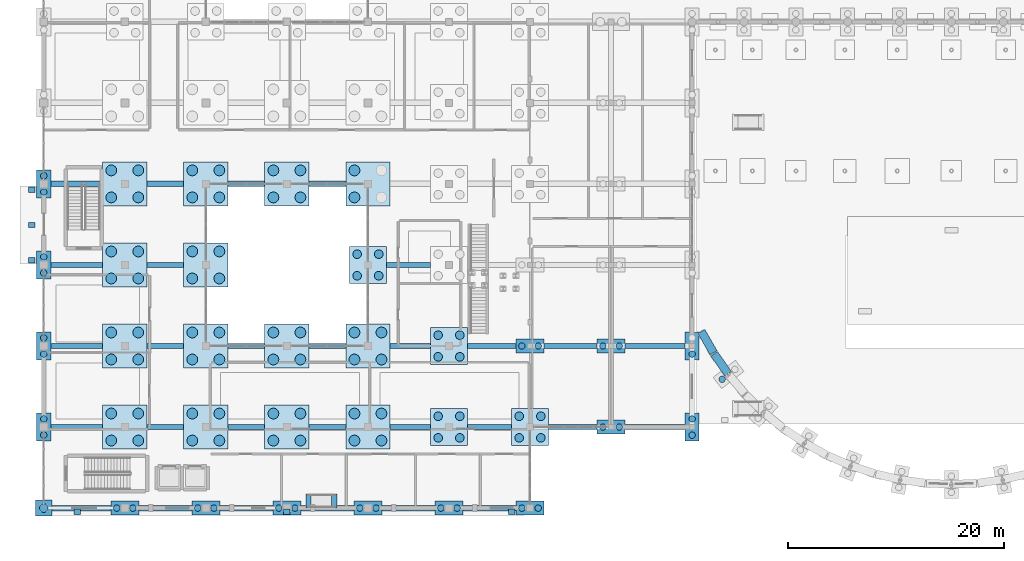
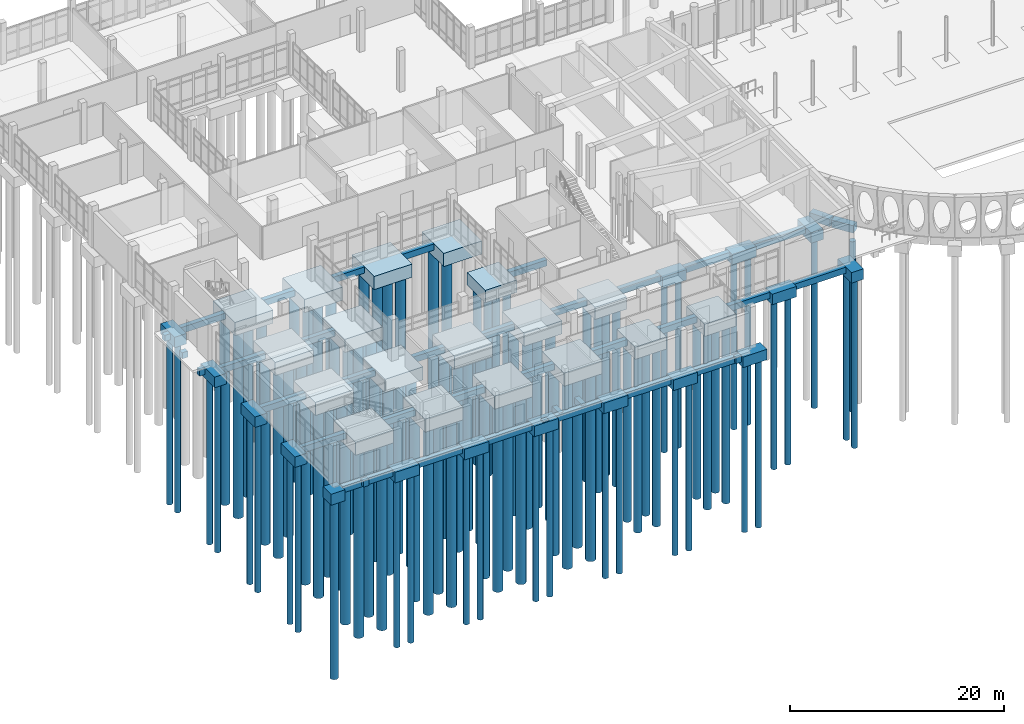
# One storey, part 1 of 173: 101 piles, 73 footings.
"""IFC4 building model written with IfcOpenShell, lengths in metres."""

from ifc_helpers import new_model, si_unit, direction, frame, origin, origin_2d, place, context, subcontext, project, spatial, rectangle, circle, extrude, material, material_profile, profile_set, type_object, element, save


model = new_model("IFC4")

# Units and contexts
model_context = context("Model", 3, precision=1e-05, world=origin(), true_north=direction((0.0, 1.0)))
body_context = subcontext(model_context, "Body", "Model", "MODEL_VIEW")
ifc_project = project(units=[si_unit("LENGTHUNIT", "METRE"), si_unit("AREAUNIT", "SQUARE_METRE"), si_unit("VOLUMEUNIT", "CUBIC_METRE"), si_unit("PLANEANGLEUNIT", "RADIAN"), si_unit("MASSUNIT", "GRAM", prefix="KILO")], contexts=[model_context])

# Site, building, storey
site_placement = place(None, origin())
site = spatial("IfcSite", under=ifc_project, at=site_placement, CompositionType="ELEMENT")
building_placement = place(site_placement, origin())
building = spatial("IfcBuilding", under=site, at=building_placement, Name="Mawjan Specialist Oncology Clinic", CompositionType="ELEMENT")
storey_placement = place(building_placement, origin())
storey = spatial("IfcBuildingStorey", under=building, at=storey_placement, Name="L00", CompositionType="ELEMENT", Elevation=0.0)

# Footings
ifc_material_1 = material(Name="Concrete C40/50", Category="concrete")
footing_type_1 = type_object("IfcFootingType", Name="PC-1C", PredefinedType="PILE_CAP", material=ifc_material_1)
footing_1_placement = place(storey_placement, frame((0.0, 0.800048828125, -1.669921875), z_axis=(0.0, 0.0, 1.0), x_axis=(1.0, 0.0, 0.0)))
element("IfcFooting", 1, at=footing_1_placement, inside=storey, type_object=footing_type_1, Name="Pile Cap FTG-PC-001", PredefinedType="PILE_CAP", context=body_context, shape_type="SweptSolid", body=[
    extrude(rectangle(XDim=1.5, YDim=1.5, at=origin_2d()), origin(), (0.0, 0.0, 1.0), 1.25),
])
ifc_material_2 = material(Name="Concrete C40/50", Category="concrete")
footing_type_2 = type_object("IfcFootingType", Name="PC-2A", PredefinedType="PILE_CAP", material=ifc_material_2)
for number, where, z_axis, x_axis, name in (
    (2, (0.0, 8.300048828125, -1.6201171875), (0.0, 0.0, 1.0), (0.0, 1.0, 0.0), "Pile Cap FTG-PC-002"),
    (3, (0.0, 15.800048828125, -1.6201171875), (0.0, 0.0, 1.0), (0.0, 1.0, 0.0), "Pile Cap FTG-PC-003"),
    (4, (0.0, 23.300048828125, -1.6201171875), (0.0, 0.0, 1.0), (0.0, 1.0, 0.0), "Pile Cap FTG-PC-004"),
    (5, (0.0, 30.800048828125, -1.6201171875), (0.0, 0.0, 1.0), (0.0, 1.0, 0.0), "Pile Cap FTG-PC-005"),
    (6, (7.5, 0.800048828125, -1.6201171875), (0.0, 0.0, 1.0), (1.0, 0.0, 0.0), "Pile Cap FTG-PC-012"),
    (7, (15.0, 0.800048828125, -1.6201171875), (0.0, 0.0, 1.0), (1.0, 0.0, 0.0), "Pile Cap FTG-PC-023"),
    (8, (22.5, 0.800048828125, -1.6201171875), (0.0, 0.0, 1.0), (1.0, 0.0, 0.0), "Pile Cap FTG-PC-034"),
    (9, (30.0, 0.800048828125, -1.6201171875), (0.0, 0.0, 1.0), (1.0, 0.0, 0.0), "Pile Cap FTG-PC-043"),
    (10, (37.5, 0.800048828125, -1.6201171875), (0.0, 0.0, 1.0), (1.0, 0.0, 0.0), "Pile Cap FTG-PC-059"),
    (11, (45.0, 0.800048828125, -1.6201171875), (0.0, 0.0, 1.0), (1.0, 0.0, 0.0), "Pile Cap FTG-PC-075"),
    (12, (45.0, 15.800048828125, -1.6201171875), (0.0, 0.0, 1.0), (1.0, 0.0, 0.0), "Pile Cap FTG-PC-077"),
    (13, (52.5, 8.300048828125, -1.6201171875), (0.0, 0.0, 1.0), (1.0, 0.0, 0.0), "Pile Cap FTG-PC-091"),
    (14, (52.5, 15.800048828125, -1.6201171875), (0.0, 0.0, 1.0), (1.0, 0.0, 0.0), "Pile Cap FTG-PC-092"),
    (15, (60.0, 8.300048828125, -1.6201171875), (0.0, 0.0, 1.0), (0.0, 1.0, 0.0), "Pile Cap FTG-PC-104"),
    (16, (60.0, 15.800048828125, -1.6201171875), (0.0, 0.0, 1.0), (0.0, 1.0, 0.0), "Pile Cap FTG-PC-105"),
):
    element("IfcFooting", number, at=place(storey_placement, frame(where, z_axis=z_axis, x_axis=x_axis)), inside=storey, type_object=footing_type_2, Name=name, PredefinedType="PILE_CAP", context=body_context, shape_type="SweptSolid", body=[
        extrude(rectangle(XDim=2.60009765625, YDim=1.300048828125, at=origin_2d()), origin(), (0.0, 0.0, 1.0), 1.199951171875),
    ])
ifc_material_3 = material(Name="Concrete C40/50", Category="concrete")
footing_type_3 = type_object("IfcFootingType", Name="PC-4A", PredefinedType="PILE_CAP", material=ifc_material_3)
for number, where, z_axis, x_axis, name in (
    (17, (30.0, 23.300048828125, -1.820068359375), (0.0, 0.0, 1.0), (1.0, 0.0, 0.0), "Pile Cap FTG-PC-046"),
    (18, (37.5, 8.300048828125, -1.820068359375), (0.0, 0.0, 1.0), (1.0, 0.0, 0.0), "Pile Cap FTG-PC-060"),
    (19, (37.5, 15.800048828125, -1.820068359375), (0.0, 0.0, 1.0), (1.0, 0.0, 0.0), "Pile Cap FTG-PC-061"),
    (20, (45.0, 8.300048828125, -1.820068359375), (0.0, 0.0, 1.0), (1.0, 0.0, 0.0), "Pile Cap FTG-PC-076"),
):
    element("IfcFooting", number, at=place(storey_placement, frame(where, z_axis=z_axis, x_axis=x_axis)), inside=storey, type_object=footing_type_3, Name=name, PredefinedType="PILE_CAP", context=body_context, shape_type="SweptSolid", body=[
        extrude(rectangle(XDim=3.39990234375, YDim=3.39990234375, at=origin_2d()), origin(), (0.0, 0.0, 1.0), 1.39990234375),
    ])
ifc_material_4 = material(Name="Concrete C40/50", Category="concrete")
footing_type_4 = type_object("IfcFootingType", Name="PC-4B", PredefinedType="PILE_CAP", material=ifc_material_4)
for number, where, z_axis, x_axis, name in (
    (21, (7.5, 8.300048828125, -1.919921875), (0.0, 0.0, 1.0), (1.0, 0.0, 0.0), "Pile Cap FTG-PC-013"),
    (22, (7.5, 15.800048828125, -1.919921875), (0.0, 0.0, 1.0), (1.0, 0.0, 0.0), "Pile Cap FTG-PC-014"),
    (23, (7.5, 23.300048828125, -1.919921875), (0.0, 0.0, 1.0), (1.0, 0.0, 0.0), "Pile Cap FTG-PC-015"),
    (24, (7.5, 30.800048828125, -1.919921875), (0.0, 0.0, 1.0), (1.0, 0.0, 0.0), "Pile Cap FTG-PC-016"),
    (25, (15.0, 8.300048828125, -1.919921875), (0.0, 0.0, 1.0), (1.0, 0.0, 0.0), "Pile Cap FTG-PC-024"),
    (26, (15.0, 15.800048828125, -1.919921875), (0.0, 0.0, 1.0), (1.0, 0.0, 0.0), "Pile Cap FTG-PC-025"),
    (27, (15.0, 23.300048828125, -1.919921875), (0.0, 0.0, 1.0), (1.0, 0.0, 0.0), "Pile Cap FTG-PC-026"),
    (28, (15.0, 30.800048828125, -1.919921875), (0.0, 0.0, 1.0), (1.0, 0.0, 0.0), "Pile Cap FTG-PC-027"),
    (29, (22.5, 8.300048828125, -1.919921875), (0.0, 0.0, 1.0), (1.0, 0.0, 0.0), "Pile Cap FTG-PC-035"),
    (30, (22.5, 15.800048828125, -1.919921875), (0.0, 0.0, 1.0), (1.0, 0.0, 0.0), "Pile Cap FTG-PC-036"),
    (31, (22.5, 30.800048828125, -1.919921875), (0.0, 0.0, 1.0), (1.0, 0.0, 0.0), "Pile Cap FTG-PC-037"),
    (32, (30.0, 8.300048828125, -1.919921875), (0.0, 0.0, 1.0), (1.0, 0.0, 0.0), "Pile Cap FTG-PC-044"),
    (33, (30.0, 15.800048828125, -1.919921875), (0.0, 0.0, 1.0), (1.0, 0.0, 0.0), "Pile Cap FTG-PC-045"),
    (34, (30.0, 30.800048828125, -1.919921875), (0.0, 0.0, 1.0), (1.0, 0.0, 0.0), "Pile Cap FTG-PC-047"),
):
    element("IfcFooting", number, at=place(storey_placement, frame(where, z_axis=z_axis, x_axis=x_axis)), inside=storey, type_object=footing_type_4, Name=name, PredefinedType="PILE_CAP", context=body_context, shape_type="SweptSolid", body=[
        extrude(rectangle(XDim=4.10009765625, YDim=4.10009765625, at=origin_2d()), origin(), (0.0, 0.0, 1.0), 1.5),
    ])

# Piles
ifc_material_5 = material(Name="Concrete C40/50", Category="concrete")
ifc_material_profile_1 = material_profile(ifc_material_5, circle(Radius=0.5, at=origin_2d()), Name="BORED PILE D1000", Category="concrete")
ifc_profile_set_1 = profile_set([ifc_material_profile_1], Name="Concrete C40/50")
pile_type_1 = type_object("IfcPileType", Name="PILE-1000", PredefinedType="BORED", material=ifc_profile_set_1)
for number, where, z_axis, x_axis, name in (
    (35, (6.25, 7.050048828125, -1.820068359375), (0.0, 0.0, -1.0), (1.0, 0.0, 0.0), "Bored Pile PIL-0024"),
    (36, (8.75, 7.050048828125, -1.820068359375), (0.0, 0.0, -1.0), (1.0, 0.0, 0.0), "Bored Pile PIL-0025"),
    (37, (6.25, 9.550048828125, -1.820068359375), (0.0, 0.0, -1.0), (1.0, 0.0, 0.0), "Bored Pile PIL-0026"),
    (38, (8.75, 9.550048828125, -1.820068359375), (0.0, 0.0, -1.0), (1.0, 0.0, 0.0), "Bored Pile PIL-0027"),
    (39, (6.25, 14.550048828125, -1.820068359375), (0.0, 0.0, -1.0), (1.0, 0.0, 0.0), "Bored Pile PIL-0028"),
    (40, (8.75, 14.550048828125, -1.820068359375), (0.0, 0.0, -1.0), (1.0, 0.0, 0.0), "Bored Pile PIL-0029"),
    (41, (6.25, 17.050048828125, -1.820068359375), (0.0, 0.0, -1.0), (1.0, 0.0, 0.0), "Bored Pile PIL-0030"),
    (42, (8.75, 17.050048828125, -1.820068359375), (0.0, 0.0, -1.0), (1.0, 0.0, 0.0), "Bored Pile PIL-0031"),
    (43, (6.25, 22.050048828125, -1.820068359375), (0.0, 0.0, -1.0), (1.0, 0.0, 0.0), "Bored Pile PIL-0032"),
    (44, (8.75, 22.050048828125, -1.820068359375), (0.0, 0.0, -1.0), (1.0, 0.0, 0.0), "Bored Pile PIL-0033"),
    (45, (6.25, 24.550048828125, -1.820068359375), (0.0, 0.0, -1.0), (1.0, 0.0, 0.0), "Bored Pile PIL-0034"),
    (46, (8.75, 24.550048828125, -1.820068359375), (0.0, 0.0, -1.0), (1.0, 0.0, 0.0), "Bored Pile PIL-0035"),
    (47, (6.25, 29.550048828125, -1.820068359375), (0.0, 0.0, -1.0), (1.0, 0.0, 0.0), "Bored Pile PIL-0036"),
    (48, (8.75, 29.550048828125, -1.820068359375), (0.0, 0.0, -1.0), (1.0, 0.0, 0.0), "Bored Pile PIL-0037"),
    (49, (6.25, 32.050048828125, -1.820068359375), (0.0, 0.0, -1.0), (1.0, 0.0, 0.0), "Bored Pile PIL-0038"),
    (50, (8.75, 32.050048828125, -1.820068359375), (0.0, 0.0, -1.0), (1.0, 0.0, 0.0), "Bored Pile PIL-0039"),
    (51, (13.75, 7.050048828125, -1.820068359375), (0.0, 0.0, -1.0), (1.0, 0.0, 0.0), "Bored Pile PIL-0063"),
    (52, (16.25, 7.050048828125, -1.820068359375), (0.0, 0.0, -1.0), (1.0, 0.0, 0.0), "Bored Pile PIL-0064"),
    (53, (13.75, 9.550048828125, -1.820068359375), (0.0, 0.0, -1.0), (1.0, 0.0, 0.0), "Bored Pile PIL-0065"),
    (54, (16.25, 9.550048828125, -1.820068359375), (0.0, 0.0, -1.0), (1.0, 0.0, 0.0), "Bored Pile PIL-0066"),
    (55, (13.75, 14.550048828125, -1.820068359375), (0.0, 0.0, -1.0), (1.0, 0.0, 0.0), "Bored Pile PIL-0067"),
    (56, (16.25, 14.550048828125, -1.820068359375), (0.0, 0.0, -1.0), (1.0, 0.0, 0.0), "Bored Pile PIL-0068"),
    (57, (13.75, 17.050048828125, -1.820068359375), (0.0, 0.0, -1.0), (1.0, 0.0, 0.0), "Bored Pile PIL-0069"),
    (58, (16.25, 17.050048828125, -1.820068359375), (0.0, 0.0, -1.0), (1.0, 0.0, 0.0), "Bored Pile PIL-0070"),
    (59, (13.75, 22.050048828125, -1.820068359375), (0.0, 0.0, -1.0), (1.0, 0.0, 0.0), "Bored Pile PIL-0071"),
    (60, (16.25, 22.050048828125, -1.820068359375), (0.0, 0.0, -1.0), (1.0, 0.0, 0.0), "Bored Pile PIL-0072"),
    (61, (13.75, 24.550048828125, -1.820068359375), (0.0, 0.0, -1.0), (1.0, 0.0, 0.0), "Bored Pile PIL-0073"),
    (62, (16.25, 24.550048828125, -1.820068359375), (0.0, 0.0, -1.0), (1.0, 0.0, 0.0), "Bored Pile PIL-0074"),
    (63, (13.75, 29.550048828125, -1.820068359375), (0.0, 0.0, -1.0), (1.0, 0.0, 0.0), "Bored Pile PIL-0075"),
    (64, (16.25, 29.550048828125, -1.820068359375), (0.0, 0.0, -1.0), (1.0, 0.0, 0.0), "Bored Pile PIL-0076"),
    (65, (13.75, 32.050048828125, -1.820068359375), (0.0, 0.0, -1.0), (1.0, 0.0, 0.0), "Bored Pile PIL-0077"),
    (66, (16.25, 32.050048828125, -1.820068359375), (0.0, 0.0, -1.0), (1.0, 0.0, 0.0), "Bored Pile PIL-0078"),
    (67, (21.25, 7.050048828125, -1.820068359375), (0.0, 0.0, -1.0), (1.0, 0.0, 0.0), "Bored Pile PIL-0102"),
    (68, (23.75, 7.050048828125, -1.820068359375), (0.0, 0.0, -1.0), (1.0, 0.0, 0.0), "Bored Pile PIL-0103"),
    (69, (21.25, 9.550048828125, -1.820068359375), (0.0, 0.0, -1.0), (1.0, 0.0, 0.0), "Bored Pile PIL-0104"),
    (70, (23.75, 9.550048828125, -1.820068359375), (0.0, 0.0, -1.0), (1.0, 0.0, 0.0), "Bored Pile PIL-0105"),
    (71, (21.25, 14.550048828125, -1.820068359375), (0.0, 0.0, -1.0), (1.0, 0.0, 0.0), "Bored Pile PIL-0106"),
    (72, (23.75, 14.550048828125, -1.820068359375), (0.0, 0.0, -1.0), (1.0, 0.0, 0.0), "Bored Pile PIL-0107"),
    (73, (21.25, 17.050048828125, -1.820068359375), (0.0, 0.0, -1.0), (1.0, 0.0, 0.0), "Bored Pile PIL-0108"),
    (74, (23.75, 17.050048828125, -1.820068359375), (0.0, 0.0, -1.0), (1.0, 0.0, 0.0), "Bored Pile PIL-0109"),
    (75, (21.25, 29.550048828125, -1.820068359375), (0.0, 0.0, -1.0), (1.0, 0.0, 0.0), "Bored Pile PIL-0110"),
    (76, (23.75, 29.550048828125, -1.820068359375), (0.0, 0.0, -1.0), (1.0, 0.0, 0.0), "Bored Pile PIL-0111"),
    (77, (21.25, 32.050048828125, -1.820068359375), (0.0, 0.0, -1.0), (1.0, 0.0, 0.0), "Bored Pile PIL-0112"),
    (78, (23.75, 32.050048828125, -1.820068359375), (0.0, 0.0, -1.0), (1.0, 0.0, 0.0), "Bored Pile PIL-0113"),
    (79, (28.75, 7.050048828125, -1.820068359375), (0.0, 0.0, -1.0), (1.0, 0.0, 0.0), "Bored Pile PIL-0130"),
    (80, (31.25, 7.050048828125, -1.820068359375), (0.0, 0.0, -1.0), (1.0, 0.0, 0.0), "Bored Pile PIL-0131"),
    (81, (28.75, 9.550048828125, -1.820068359375), (0.0, 0.0, -1.0), (1.0, 0.0, 0.0), "Bored Pile PIL-0132"),
    (82, (31.25, 9.550048828125, -1.820068359375), (0.0, 0.0, -1.0), (1.0, 0.0, 0.0), "Bored Pile PIL-0133"),
    (83, (28.75, 14.550048828125, -1.820068359375), (0.0, 0.0, -1.0), (1.0, 0.0, 0.0), "Bored Pile PIL-0134"),
    (84, (31.25, 14.550048828125, -1.820068359375), (0.0, 0.0, -1.0), (1.0, 0.0, 0.0), "Bored Pile PIL-0135"),
    (85, (28.75, 17.050048828125, -1.820068359375), (0.0, 0.0, -1.0), (1.0, 0.0, 0.0), "Bored Pile PIL-0136"),
    (86, (31.25, 17.050048828125, -1.820068359375), (0.0, 0.0, -1.0), (1.0, 0.0, 0.0), "Bored Pile PIL-0137"),
    (87, (28.75, 29.550048828125, -1.820068359375), (0.0, 0.0, -1.0), (1.0, 0.0, 0.0), "Bored Pile PIL-0142"),
    (88, (28.75, 32.050048828125, -1.820068359375), (0.0, 0.0, -1.0), (1.0, 0.0, 0.0), "Bored Pile PIL-0144"),
):
    element("IfcPile", number, at=place(storey_placement, frame(where, z_axis=z_axis, x_axis=x_axis)), inside=storey, type_object=pile_type_1, Name=name, PredefinedType="BORED", context=body_context, shape_type="SweptSolid", body=[
        extrude(circle(Radius=0.5, at=origin_2d()), origin(), (0.0, 0.0, 1.0), 21.3798828125),
    ])
ifc_material_6 = material(Name="Concrete C40/50", Category="concrete")
ifc_material_profile_2 = material_profile(ifc_material_6, circle(Radius=0.300048828125, at=origin_2d()), Name="BORED PILE D600", Category="concrete")
ifc_profile_set_2 = profile_set([ifc_material_profile_2], Name="Concrete C40/50")
pile_type_2 = type_object("IfcPileType", Name="PILE-600", PredefinedType="BORED", material=ifc_profile_set_2)
for number, where, z_axis, x_axis, name in (
    (89, (0.0, 7.550048828125, -1.52001953125), (0.0, 0.0, -1.0), (1.0, 0.0, 0.0), "Bored Pile PIL-0002"),
    (90, (0.0, 9.050048828125, -1.52001953125), (0.0, 0.0, -1.0), (1.0, 0.0, 0.0), "Bored Pile PIL-0003"),
    (91, (0.0, 15.050048828125, -1.52001953125), (0.0, 0.0, -1.0), (1.0, 0.0, 0.0), "Bored Pile PIL-0004"),
    (92, (0.0, 16.550048828125, -1.52001953125), (0.0, 0.0, -1.0), (1.0, 0.0, 0.0), "Bored Pile PIL-0005"),
    (93, (0.0, 22.550048828125, -1.52001953125), (0.0, 0.0, -1.0), (1.0, 0.0, 0.0), "Bored Pile PIL-0006"),
    (94, (0.0, 24.050048828125, -1.52001953125), (0.0, 0.0, -1.0), (1.0, 0.0, 0.0), "Bored Pile PIL-0007"),
    (95, (0.0, 30.050048828125, -1.52001953125), (0.0, 0.0, -1.0), (1.0, 0.0, 0.0), "Bored Pile PIL-0008"),
    (96, (0.0, 31.550048828125, -1.52001953125), (0.0, 0.0, -1.0), (1.0, 0.0, 0.0), "Bored Pile PIL-0009"),
    (97, (6.75, 0.800048828125, -1.52001953125), (0.0, 0.0, -1.0), (1.0, 0.0, 0.0), "Bored Pile PIL-0022"),
    (98, (8.25, 0.800048828125, -1.52001953125), (0.0, 0.0, -1.0), (1.0, 0.0, 0.0), "Bored Pile PIL-0023"),
    (99, (14.25, 0.800048828125, -1.52001953125), (0.0, 0.0, -1.0), (1.0, 0.0, 0.0), "Bored Pile PIL-0061"),
    (100, (15.75, 0.800048828125, -1.52001953125), (0.0, 0.0, -1.0), (1.0, 0.0, 0.0), "Bored Pile PIL-0062"),
    (101, (21.75, 0.800048828125, -1.52001953125), (0.0, 0.0, -1.0), (1.0, 0.0, 0.0), "Bored Pile PIL-0100"),
    (102, (23.25, 0.800048828125, -1.52001953125), (0.0, 0.0, -1.0), (1.0, 0.0, 0.0), "Bored Pile PIL-0101"),
    (103, (29.25, 0.800048828125, -1.52001953125), (0.0, 0.0, -1.0), (1.0, 0.0, 0.0), "Bored Pile PIL-0128"),
    (104, (30.75, 0.800048828125, -1.52001953125), (0.0, 0.0, -1.0), (1.0, 0.0, 0.0), "Bored Pile PIL-0129"),
    (105, (36.75, 0.800048828125, -1.52001953125), (0.0, 0.0, -1.0), (1.0, 0.0, 0.0), "Bored Pile PIL-0174"),
    (106, (38.25, 0.800048828125, -1.52001953125), (0.0, 0.0, -1.0), (1.0, 0.0, 0.0), "Bored Pile PIL-0175"),
    (107, (44.25, 0.800048828125, -1.52001953125), (0.0, 0.0, -1.0), (1.0, 0.0, 0.0), "Bored Pile PIL-0220"),
    (108, (45.75, 0.800048828125, -1.52001953125), (0.0, 0.0, -1.0), (1.0, 0.0, 0.0), "Bored Pile PIL-0221"),
    (109, (44.25, 15.800048828125, -1.52001953125), (0.0, 0.0, -1.0), (1.0, 0.0, 0.0), "Bored Pile PIL-0226"),
    (110, (45.75, 15.800048828125, -1.52001953125), (0.0, 0.0, -1.0), (1.0, 0.0, 0.0), "Bored Pile PIL-0227"),
    (111, (51.75, 8.300048828125, -1.52001953125), (0.0, 0.0, -1.0), (1.0, 0.0, 0.0), "Bored Pile PIL-0271"),
    (112, (53.25, 8.300048828125, -1.52001953125), (0.0, 0.0, -1.0), (1.0, 0.0, 0.0), "Bored Pile PIL-0272"),
    (113, (51.75, 15.800048828125, -1.52001953125), (0.0, 0.0, -1.0), (1.0, 0.0, 0.0), "Bored Pile PIL-0273"),
    (114, (53.25, 15.800048828125, -1.52001953125), (0.0, 0.0, -1.0), (1.0, 0.0, 0.0), "Bored Pile PIL-0274"),
    (115, (60.0, 7.550048828125, -1.52001953125), (0.0, 0.0, -1.0), (1.0, 0.0, 0.0), "Bored Pile PIL-0305"),
    (116, (60.0, 9.050048828125, -1.52001953125), (0.0, 0.0, -1.0), (1.0, 0.0, 0.0), "Bored Pile PIL-0306"),
    (117, (60.0, 15.050048828125, -1.52001953125), (0.0, 0.0, -1.0), (1.0, 0.0, 0.0), "Bored Pile PIL-0307"),
):
    element("IfcPile", number, at=place(storey_placement, frame(where, z_axis=z_axis, x_axis=x_axis)), inside=storey, type_object=pile_type_2, Name=name, PredefinedType="BORED", context=body_context, shape_type="SweptSolid", body=[
        extrude(circle(Radius=0.300048828125, at=origin_2d()), origin(), (0.0, 0.0, 1.0), 19.280029296875),
    ])
pile_1_placement = place(storey_placement, frame((62.77783203125, 12.715576171875, -1.35009765625), z_axis=(0.0, 0.0, -1.0), x_axis=(1.0, 0.0, 0.0)))
element("IfcPile", 118, at=pile_1_placement, inside=storey, type_object=pile_type_2, Name="Stone Arc Bored Pile PIL-0772", PredefinedType="BORED", context=body_context, shape_type="SweptSolid", body=[
    extrude(circle(Radius=0.300048828125, at=origin_2d()), origin(), (0.0, 0.0, 1.0), 19.449951171875),
])
ifc_material_7 = material(Name="Concrete C40/50", Category="concrete")
ifc_material_profile_3 = material_profile(ifc_material_7, circle(Radius=0.39990234375, at=origin_2d()), Name="BORED PILE D800", Category="concrete")
ifc_profile_set_3 = profile_set([ifc_material_profile_3], Name="Concrete C40/50")
pile_type_3 = type_object("IfcPileType", Name="PILE-800", PredefinedType="BORED", material=ifc_profile_set_3)
pile_2_placement = place(storey_placement, frame((0.0, 0.800048828125, -1.570068359375), z_axis=(0.0, 0.0, -1.0), x_axis=(1.0, 0.0, 0.0)))
element("IfcPile", 119, at=pile_2_placement, inside=storey, type_object=pile_type_3, Name="Bored Pile PIL-0001", PredefinedType="BORED", context=body_context, shape_type="SweptSolid", body=[
    extrude(circle(Radius=0.39990234375, at=origin_2d()), origin(), (0.0, 0.0, 1.0), 20.429931640625),
])
for number, where, z_axis, x_axis, name in (
    (120, (29.0, 22.300048828125, -1.719970703125), (0.0, 0.0, -1.0), (1.0, 0.0, 0.0), "Bored Pile PIL-0138"),
    (121, (31.0, 22.300048828125, -1.719970703125), (0.0, 0.0, -1.0), (1.0, 0.0, 0.0), "Bored Pile PIL-0139"),
    (122, (29.0, 24.300048828125, -1.719970703125), (0.0, 0.0, -1.0), (1.0, 0.0, 0.0), "Bored Pile PIL-0140"),
    (123, (31.0, 24.300048828125, -1.719970703125), (0.0, 0.0, -1.0), (1.0, 0.0, 0.0), "Bored Pile PIL-0141"),
    (124, (36.5, 7.300048828125, -1.719970703125), (0.0, 0.0, -1.0), (1.0, 0.0, 0.0), "Bored Pile PIL-0176"),
    (125, (38.5, 7.300048828125, -1.719970703125), (0.0, 0.0, -1.0), (1.0, 0.0, 0.0), "Bored Pile PIL-0177"),
    (126, (36.5, 9.300048828125, -1.719970703125), (0.0, 0.0, -1.0), (1.0, 0.0, 0.0), "Bored Pile PIL-0178"),
    (127, (38.5, 9.300048828125, -1.719970703125), (0.0, 0.0, -1.0), (1.0, 0.0, 0.0), "Bored Pile PIL-0179"),
    (128, (36.5, 14.800048828125, -1.719970703125), (0.0, 0.0, -1.0), (1.0, 0.0, 0.0), "Bored Pile PIL-0180"),
    (129, (38.5, 14.800048828125, -1.719970703125), (0.0, 0.0, -1.0), (1.0, 0.0, 0.0), "Bored Pile PIL-0181"),
    (130, (36.5, 16.800048828125, -1.719970703125), (0.0, 0.0, -1.0), (1.0, 0.0, 0.0), "Bored Pile PIL-0182"),
    (131, (38.5, 16.800048828125, -1.719970703125), (0.0, 0.0, -1.0), (1.0, 0.0, 0.0), "Bored Pile PIL-0183"),
    (132, (44.0, 7.300048828125, -1.719970703125), (0.0, 0.0, -1.0), (1.0, 0.0, 0.0), "Bored Pile PIL-0222"),
    (133, (46.0, 7.300048828125, -1.719970703125), (0.0, 0.0, -1.0), (1.0, 0.0, 0.0), "Bored Pile PIL-0223"),
    (134, (44.0, 9.300048828125, -1.719970703125), (0.0, 0.0, -1.0), (1.0, 0.0, 0.0), "Bored Pile PIL-0224"),
    (135, (46.0, 9.300048828125, -1.719970703125), (0.0, 0.0, -1.0), (1.0, 0.0, 0.0), "Bored Pile PIL-0225"),
):
    element("IfcPile", number, at=place(storey_placement, frame(where, z_axis=z_axis, x_axis=x_axis)), inside=storey, type_object=pile_type_3, Name=name, PredefinedType="BORED", context=body_context, shape_type="SweptSolid", body=[
        extrude(circle(Radius=0.39990234375, at=origin_2d()), origin(), (0.0, 0.0, 1.0), 20.280029296875),
    ])

# Footings
ifc_material_8 = material(Name="Concrete C40/50", Category="concrete")
footing_type_5 = type_object("IfcFootingType", Name="SF-500", PredefinedType="STRIP_FOOTING", material=ifc_material_8)
for number, where, z_axis, x_axis, name in (
    (136, (3.10009765625, 0.449951171875, -0.9501953125), (0.0, 0.0, 1.0), (1.0, 0.0, 0.0), "Apron Grade Strip SLB-APR-S1-1"),
    (137, (43.300048828125, 0.449951171875, -0.9501953125), (0.0, 0.0, 1.0), (1.0, 0.0, 0.0), "Apron Grade Strip SLB-APR-S1-2"),
    (138, (22.5, 0.449951171875, -0.9501953125), (0.0, 0.0, 1.0), (1.0, 0.0, 0.0), "Apron Grade Strip SLB-APR-S1-3"),
    (139, (-1.10009765625, 23.75, -0.9501953125), (0.0, 0.0, 1.0), (1.0, 0.0, 0.0), "Apron Grade Strip SLB-APR-W1-1"),
    (140, (-1.10009765625, 27.0, -0.9501953125), (0.0, 0.0, 1.0), (1.0, 0.0, 0.0), "Apron Grade Strip SLB-APR-W1-2"),
    (141, (-1.10009765625, 30.25, -0.9501953125), (0.0, 0.0, 1.0), (1.0, 0.0, 0.0), "Apron Grade Strip SLB-APR-W1-3"),
):
    element("IfcFooting", number, at=place(storey_placement, frame(where, z_axis=z_axis, x_axis=x_axis)), inside=storey, type_object=footing_type_5, Name=name, PredefinedType="STRIP_FOOTING", context=body_context, shape_type="SweptSolid", body=[
        extrude(rectangle(XDim=0.60009765625, YDim=0.5, at=origin_2d()), origin(), (0.0, 0.0, 1.0), 0.699951171875),
    ])
for number, where, z_axis, x_axis, name in (
    (142, (24.5, 1.449951171875, -1.10009765625), (0.0, 0.0, 1.0), (1.0, 0.0, 0.0), "Ramp Bearing Footing RMP-PED-01-1"),
    (143, (26.89990234375, 1.449951171875, -0.919921875), (0.0, 0.0, 1.0), (1.0, 0.0, 0.0), "Ramp Bearing Footing RMP-PED-01-2"),
):
    element("IfcFooting", number, at=place(storey_placement, frame(where, z_axis=z_axis, x_axis=x_axis)), inside=storey, type_object=footing_type_5, Name=name, PredefinedType="STRIP_FOOTING", context=body_context, shape_type="SweptSolid", body=[
        extrude(rectangle(XDim=0.5, YDim=1.300048828125, at=origin_2d()), origin(), (0.0, 0.0, 1.0), 0.699951171875),
    ])
footing_2_placement = place(storey_placement, frame((3.47509765625, 0.800048828125, -1.1201171875), z_axis=(0.0, 0.0, 1.0), x_axis=(1.0, 0.0, 0.0)))
element("IfcFooting", 144, at=footing_2_placement, inside=storey, type_object=footing_type_5, Name="Foundation Tie Strip FTG-SF-025", PredefinedType="STRIP_FOOTING", context=body_context, shape_type="SweptSolid", body=[
    extrude(rectangle(XDim=5.449951171875, YDim=0.5, at=origin_2d()), origin(), (0.0, 0.0, 1.0), 0.699951171875),
])
for number, where, z_axis, x_axis, name in (
    (145, (11.25, 0.800048828125, -1.1201171875), (0.0, 0.0, 1.0), (1.0, 0.0, 0.0), "Foundation Tie Strip FTG-SF-026"),
    (146, (18.75, 0.800048828125, -1.1201171875), (0.0, 0.0, 1.0), (1.0, 0.0, 0.0), "Foundation Tie Strip FTG-SF-027"),
    (147, (26.25, 0.800048828125, -1.1201171875), (0.0, 0.0, 1.0), (1.0, 0.0, 0.0), "Foundation Tie Strip FTG-SF-028"),
    (148, (33.75, 0.800048828125, -1.1201171875), (0.0, 0.0, 1.0), (1.0, 0.0, 0.0), "Foundation Tie Strip FTG-SF-029"),
    (149, (41.25, 0.800048828125, -1.1201171875), (0.0, 0.0, 1.0), (1.0, 0.0, 0.0), "Foundation Tie Strip FTG-SF-030"),
):
    element("IfcFooting", number, at=place(storey_placement, frame(where, z_axis=z_axis, x_axis=x_axis)), inside=storey, type_object=footing_type_5, Name=name, PredefinedType="STRIP_FOOTING", context=body_context, shape_type="SweptSolid", body=[
        extrude(rectangle(XDim=4.89990234375, YDim=0.5, at=origin_2d()), origin(), (0.0, 0.0, 1.0), 0.699951171875),
    ])
footing_3_placement = place(storey_placement, frame((3.050048828125, 8.300048828125, -1.1201171875), z_axis=(0.0, 0.0, 1.0), x_axis=(1.0, 0.0, 0.0)))
element("IfcFooting", 150, at=footing_3_placement, inside=storey, type_object=footing_type_5, Name="Foundation Tie Strip FTG-SF-031", PredefinedType="STRIP_FOOTING", context=body_context, shape_type="SweptSolid", body=[
    extrude(rectangle(XDim=4.800048828125, YDim=0.5, at=origin_2d()), origin(), (0.0, 0.0, 1.0), 0.699951171875),
])
for number, where, z_axis, x_axis, name in (
    (151, (11.25, 8.300048828125, -1.1201171875), (0.0, 0.0, 1.0), (1.0, 0.0, 0.0), "Foundation Tie Strip FTG-SF-032"),
    (152, (18.75, 8.300048828125, -1.1201171875), (0.0, 0.0, 1.0), (1.0, 0.0, 0.0), "Foundation Tie Strip FTG-SF-033"),
    (153, (26.25, 8.300048828125, -1.1201171875), (0.0, 0.0, 1.0), (1.0, 0.0, 0.0), "Foundation Tie Strip FTG-SF-034"),
):
    element("IfcFooting", number, at=place(storey_placement, frame(where, z_axis=z_axis, x_axis=x_axis)), inside=storey, type_object=footing_type_5, Name=name, PredefinedType="STRIP_FOOTING", context=body_context, shape_type="SweptSolid", body=[
        extrude(rectangle(XDim=3.39990234375, YDim=0.5, at=origin_2d()), origin(), (0.0, 0.0, 1.0), 0.699951171875),
    ])
footing_4_placement = place(storey_placement, frame((33.925048828125, 8.300048828125, -1.1201171875), z_axis=(0.0, 0.0, 1.0), x_axis=(1.0, 0.0, 0.0)))
element("IfcFooting", 154, at=footing_4_placement, inside=storey, type_object=footing_type_5, Name="Foundation Tie Strip FTG-SF-035", PredefinedType="STRIP_FOOTING", context=body_context, shape_type="SweptSolid", body=[
    extrude(rectangle(XDim=3.75, YDim=0.5, at=origin_2d()), origin(), (0.0, 0.0, 1.0), 0.699951171875),
])
footing_5_placement = place(storey_placement, frame((41.25, 8.300048828125, -1.1201171875), z_axis=(0.0, 0.0, 1.0), x_axis=(1.0, 0.0, 0.0)))
element("IfcFooting", 155, at=footing_5_placement, inside=storey, type_object=footing_type_5, Name="Foundation Tie Strip FTG-SF-036", PredefinedType="STRIP_FOOTING", context=body_context, shape_type="SweptSolid", body=[
    extrude(rectangle(XDim=4.10009765625, YDim=0.5, at=origin_2d()), origin(), (0.0, 0.0, 1.0), 0.699951171875),
])
footing_6_placement = place(storey_placement, frame((48.949951171875, 8.300048828125, -1.1201171875), z_axis=(0.0, 0.0, 1.0), x_axis=(1.0, 0.0, 0.0)))
element("IfcFooting", 156, at=footing_6_placement, inside=storey, type_object=footing_type_5, Name="Foundation Tie Strip FTG-SF-037", PredefinedType="STRIP_FOOTING", context=body_context, shape_type="SweptSolid", body=[
    extrude(rectangle(XDim=4.5, YDim=0.5, at=origin_2d()), origin(), (0.0, 0.0, 1.0), 0.699951171875),
])
footing_7_placement = place(storey_placement, frame((56.574951171875, 8.300048828125, -1.1201171875), z_axis=(0.0, 0.0, 1.0), x_axis=(1.0, 0.0, 0.0)))
element("IfcFooting", 157, at=footing_7_placement, inside=storey, type_object=footing_type_5, Name="Foundation Tie Strip FTG-SF-038", PredefinedType="STRIP_FOOTING", context=body_context, shape_type="SweptSolid", body=[
    extrude(rectangle(XDim=5.550048828125, YDim=0.5, at=origin_2d()), origin(), (0.0, 0.0, 1.0), 0.699951171875),
])
footing_8_placement = place(storey_placement, frame((3.050048828125, 15.800048828125, -1.1201171875), z_axis=(0.0, 0.0, 1.0), x_axis=(1.0, 0.0, 0.0)))
element("IfcFooting", 158, at=footing_8_placement, inside=storey, type_object=footing_type_5, Name="Foundation Tie Strip FTG-SF-039", PredefinedType="STRIP_FOOTING", context=body_context, shape_type="SweptSolid", body=[
    extrude(rectangle(XDim=4.800048828125, YDim=0.5, at=origin_2d()), origin(), (0.0, 0.0, 1.0), 0.699951171875),
])
for number, where, z_axis, x_axis, name in (
    (159, (11.25, 15.800048828125, -1.1201171875), (0.0, 0.0, 1.0), (1.0, 0.0, 0.0), "Foundation Tie Strip FTG-SF-040"),
    (160, (18.75, 15.800048828125, -1.1201171875), (0.0, 0.0, 1.0), (1.0, 0.0, 0.0), "Foundation Tie Strip FTG-SF-041"),
    (161, (26.25, 15.800048828125, -1.1201171875), (0.0, 0.0, 1.0), (1.0, 0.0, 0.0), "Foundation Tie Strip FTG-SF-042"),
):
    element("IfcFooting", number, at=place(storey_placement, frame(where, z_axis=z_axis, x_axis=x_axis)), inside=storey, type_object=footing_type_5, Name=name, PredefinedType="STRIP_FOOTING", context=body_context, shape_type="SweptSolid", body=[
        extrude(rectangle(XDim=3.39990234375, YDim=0.5, at=origin_2d()), origin(), (0.0, 0.0, 1.0), 0.699951171875),
    ])
footing_9_placement = place(storey_placement, frame((33.925048828125, 15.800048828125, -1.1201171875), z_axis=(0.0, 0.0, 1.0), x_axis=(1.0, 0.0, 0.0)))
element("IfcFooting", 162, at=footing_9_placement, inside=storey, type_object=footing_type_5, Name="Foundation Tie Strip FTG-SF-043", PredefinedType="STRIP_FOOTING", context=body_context, shape_type="SweptSolid", body=[
    extrude(rectangle(XDim=3.75, YDim=0.5, at=origin_2d()), origin(), (0.0, 0.0, 1.0), 0.699951171875),
])
footing_10_placement = place(storey_placement, frame((41.449951171875, 15.800048828125, -1.1201171875), z_axis=(0.0, 0.0, 1.0), x_axis=(1.0, 0.0, 0.0)))
element("IfcFooting", 163, at=footing_10_placement, inside=storey, type_object=footing_type_5, Name="Foundation Tie Strip FTG-SF-044", PredefinedType="STRIP_FOOTING", context=body_context, shape_type="SweptSolid", body=[
    extrude(rectangle(XDim=4.5, YDim=0.5, at=origin_2d()), origin(), (0.0, 0.0, 1.0), 0.699951171875),
])
footing_11_placement = place(storey_placement, frame((48.75, 15.800048828125, -1.1201171875), z_axis=(0.0, 0.0, 1.0), x_axis=(1.0, 0.0, 0.0)))
element("IfcFooting", 164, at=footing_11_placement, inside=storey, type_object=footing_type_5, Name="Foundation Tie Strip FTG-SF-045", PredefinedType="STRIP_FOOTING", context=body_context, shape_type="SweptSolid", body=[
    extrude(rectangle(XDim=4.89990234375, YDim=0.5, at=origin_2d()), origin(), (0.0, 0.0, 1.0), 0.699951171875),
])
footing_12_placement = place(storey_placement, frame((56.574951171875, 15.800048828125, -1.1201171875), z_axis=(0.0, 0.0, 1.0), x_axis=(1.0, 0.0, 0.0)))
element("IfcFooting", 165, at=footing_12_placement, inside=storey, type_object=footing_type_5, Name="Foundation Tie Strip FTG-SF-046", PredefinedType="STRIP_FOOTING", context=body_context, shape_type="SweptSolid", body=[
    extrude(rectangle(XDim=5.550048828125, YDim=0.5, at=origin_2d()), origin(), (0.0, 0.0, 1.0), 0.699951171875),
])
footing_13_placement = place(storey_placement, frame((3.050048828125, 23.300048828125, -1.1201171875), z_axis=(0.0, 0.0, 1.0), x_axis=(1.0, 0.0, 0.0)))
element("IfcFooting", 166, at=footing_13_placement, inside=storey, type_object=footing_type_5, Name="Foundation Tie Strip FTG-SF-047", PredefinedType="STRIP_FOOTING", context=body_context, shape_type="SweptSolid", body=[
    extrude(rectangle(XDim=4.800048828125, YDim=0.5, at=origin_2d()), origin(), (0.0, 0.0, 1.0), 0.699951171875),
])
footing_14_placement = place(storey_placement, frame((11.25, 23.300048828125, -1.1201171875), z_axis=(0.0, 0.0, 1.0), x_axis=(1.0, 0.0, 0.0)))
element("IfcFooting", 167, at=footing_14_placement, inside=storey, type_object=footing_type_5, Name="Foundation Tie Strip FTG-SF-048", PredefinedType="STRIP_FOOTING", context=body_context, shape_type="SweptSolid", body=[
    extrude(rectangle(XDim=3.39990234375, YDim=0.5, at=origin_2d()), origin(), (0.0, 0.0, 1.0), 0.699951171875),
])
footing_15_placement = place(storey_placement, frame((33.75, 23.300048828125, -1.1201171875), z_axis=(0.0, 0.0, 1.0), x_axis=(1.0, 0.0, 0.0)))
element("IfcFooting", 168, at=footing_15_placement, inside=storey, type_object=footing_type_5, Name="Foundation Tie Strip FTG-SF-049", PredefinedType="STRIP_FOOTING", context=body_context, shape_type="SweptSolid", body=[
    extrude(rectangle(XDim=4.10009765625, YDim=0.5, at=origin_2d()), origin(), (0.0, 0.0, 1.0), 0.699951171875),
])
footing_16_placement = place(storey_placement, frame((3.050048828125, 30.800048828125, -1.1201171875), z_axis=(0.0, 0.0, 1.0), x_axis=(1.0, 0.0, 0.0)))
element("IfcFooting", 169, at=footing_16_placement, inside=storey, type_object=footing_type_5, Name="Foundation Tie Strip FTG-SF-053", PredefinedType="STRIP_FOOTING", context=body_context, shape_type="SweptSolid", body=[
    extrude(rectangle(XDim=4.800048828125, YDim=0.5, at=origin_2d()), origin(), (0.0, 0.0, 1.0), 0.699951171875),
])
for number, where, z_axis, x_axis, name in (
    (170, (11.25, 30.800048828125, -1.1201171875), (0.0, 0.0, 1.0), (1.0, 0.0, 0.0), "Foundation Tie Strip FTG-SF-054"),
    (171, (18.75, 30.800048828125, -1.1201171875), (0.0, 0.0, 1.0), (1.0, 0.0, 0.0), "Foundation Tie Strip FTG-SF-055"),
    (172, (26.25, 30.800048828125, -1.1201171875), (0.0, 0.0, 1.0), (1.0, 0.0, 0.0), "Foundation Tie Strip FTG-SF-056"),
):
    element("IfcFooting", number, at=place(storey_placement, frame(where, z_axis=z_axis, x_axis=x_axis)), inside=storey, type_object=footing_type_5, Name=name, PredefinedType="STRIP_FOOTING", context=body_context, shape_type="SweptSolid", body=[
        extrude(rectangle(XDim=3.39990234375, YDim=0.5, at=origin_2d()), origin(), (0.0, 0.0, 1.0), 0.699951171875),
    ])
ifc_material_9 = material(Name="Concrete C40/50", Category="concrete")
footing_type_6 = type_object("IfcFootingType", Name="SF-700", PredefinedType="STRIP_FOOTING", material=ifc_material_9)
for number, where, z_axis, x_axis, name in (
    (173, (61.42236328125, 16.1611328125, -0.85009765625), (0.0, 0.0, 1.0), (-0.494321208286, 0.869279323945, 0.0), "Stone Arc Strip Footing FTG-SF-001"),
    (174, (62.69189453125, 14.149169921875, -0.85009765625), (0.0, 0.0, 1.0), (-0.571787960228, 0.820401443526, 0.0), "Stone Arc Strip Footing FTG-SF-002"),
):
    element("IfcFooting", number, at=place(storey_placement, frame(where, z_axis=z_axis, x_axis=x_axis)), inside=storey, type_object=footing_type_6, Name=name, PredefinedType="STRIP_FOOTING", context=body_context, shape_type="SweptSolid", body=[
        extrude(rectangle(XDim=2.261474609375, YDim=0.75, at=origin_2d()), origin(), (0.0, 0.0, 1.0), 0.85009765625),
    ])

save(model, "model.ifc")
